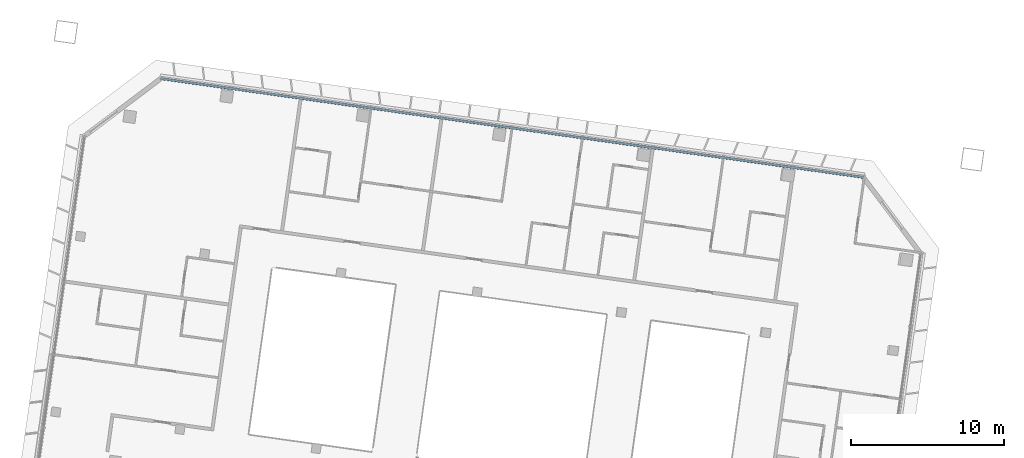
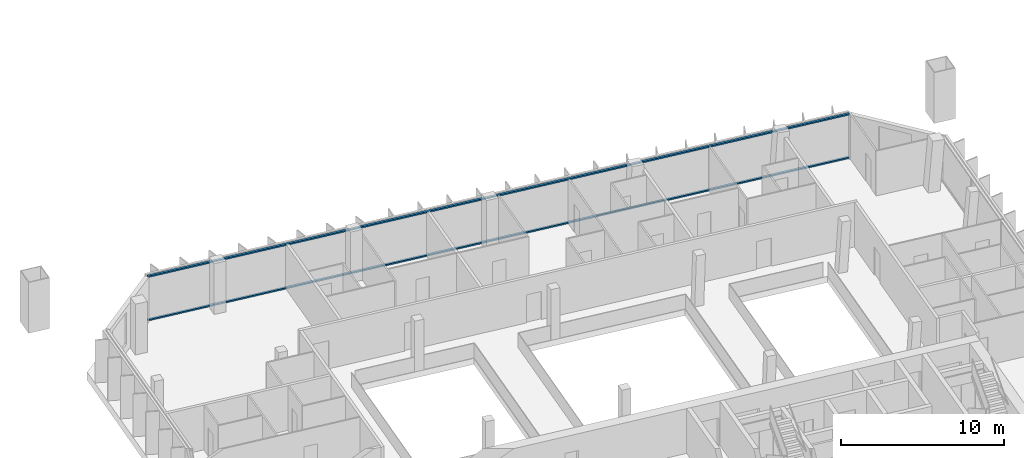
# One storey, part 5 of 23: 2 members, 1 element without a shape of its own.
"""IFC4 building model written with IfcOpenShell, lengths in metres."""

from ifc_helpers import new_model, si_unit, direction, frame, origin, origin_2d, place, context, subcontext, project, spatial, rectangle, extrude, material, material_profile, profile_set, type_object, element, aggregate, save


model = new_model("IFC4")

# Units and contexts
model_context = context("Model", 3, precision=1e-05, world=origin(), true_north=direction((0.0, 1.0)))
body_context = subcontext(model_context, "Body", "Model", "MODEL_VIEW")
ifc_project = project(units=[si_unit("LENGTHUNIT", "METRE"), si_unit("AREAUNIT", "SQUARE_METRE"), si_unit("VOLUMEUNIT", "CUBIC_METRE"), si_unit("PLANEANGLEUNIT", "RADIAN"), si_unit("MASSUNIT", "GRAM", prefix="KILO")], contexts=[model_context])

# Site, building, storey
site_placement = place(None, origin())
site = spatial("IfcSite", under=ifc_project, at=site_placement, CompositionType="ELEMENT")
building_placement = place(site_placement, origin())
building = spatial("IfcBuilding", under=site, at=building_placement, Name="Mirante Cascada Hotel Towers", CompositionType="ELEMENT")
storey_placement = place(building_placement, frame((0.0, 0.0, 187.8)))
storey = spatial("IfcBuildingStorey", under=building, at=storey_placement, Name="L44", CompositionType="ELEMENT", Elevation=187.8)

# Curtain wall, members
ifc_material_1 = material(Name="Aluminium mullion and transom frame with clear laminated glass", Category="aluminium")
curtain_wall_type = type_object("IfcCurtainWallType", Name="Ribbon curtain wall ECW1", PredefinedType="NOTDEFINED", material=ifc_material_1)
curtain_wall_placement = place(storey_placement, origin())
curtain_wall = element("IfcCurtainWall", 1, at=curtain_wall_placement, inside=storey, type_object=curtain_wall_type, Name="Front ribbon wall T1 L44", PredefinedType="NOTDEFINED")
ifc_material_2 = material(Name="Anodised aluminium extrusion", Category="aluminium")
ifc_material_profile = material_profile(ifc_material_2, rectangle(XDim=0.16, YDim=0.1, at=origin_2d()), Name="ECW1 TRANSOM 100x160")
ifc_profile_set = profile_set([ifc_material_profile], Name="Anodised aluminium extrusion")
member_type = type_object("IfcMemberType", Name="ECW1 transom 100x160", PredefinedType="USERDEFINED", material=ifc_profile_set)
member_1_placement = place(storey_placement, frame((-76.3333, 23.547, 0.05), z_axis=(0.990268, -0.1391739, 0.0), x_axis=(0.1391739, 0.990268, 0.0)))
member_1 = element("IfcMember", 2, at=member_1_placement, type_object=member_type, Name="ECW1 sill transom", ObjectType="TRANSOM", PredefinedType="USERDEFINED", context=body_context, shape_type="SweptSolid", body=[
    extrude(rectangle(XDim=0.16, YDim=0.1, at=origin_2d()), origin(), (0.0, 0.0, 1.0), 46.4031),
])
member_2_placement = place(storey_placement, frame((-76.3333, 23.547, 3.3), z_axis=(0.990268, -0.1391739, 0.0), x_axis=(0.1391739, 0.990268, 0.0)))
member_2 = element("IfcMember", 3, at=member_2_placement, type_object=member_type, Name="ECW1 head transom", ObjectType="TRANSOM", PredefinedType="USERDEFINED", context=body_context, shape_type="SweptSolid", body=[
    extrude(rectangle(XDim=0.16, YDim=0.1, at=origin_2d()), origin(), (0.0, 0.0, 1.0), 46.4031),
])
aggregate(curtain_wall, [member_1, member_2])

save(model, "model.ifc")
